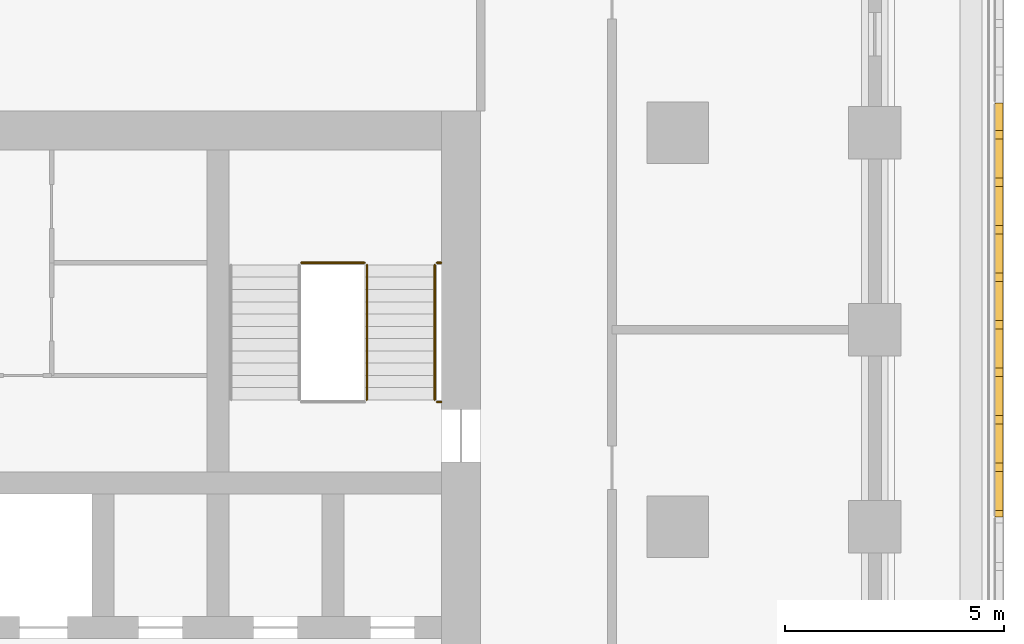
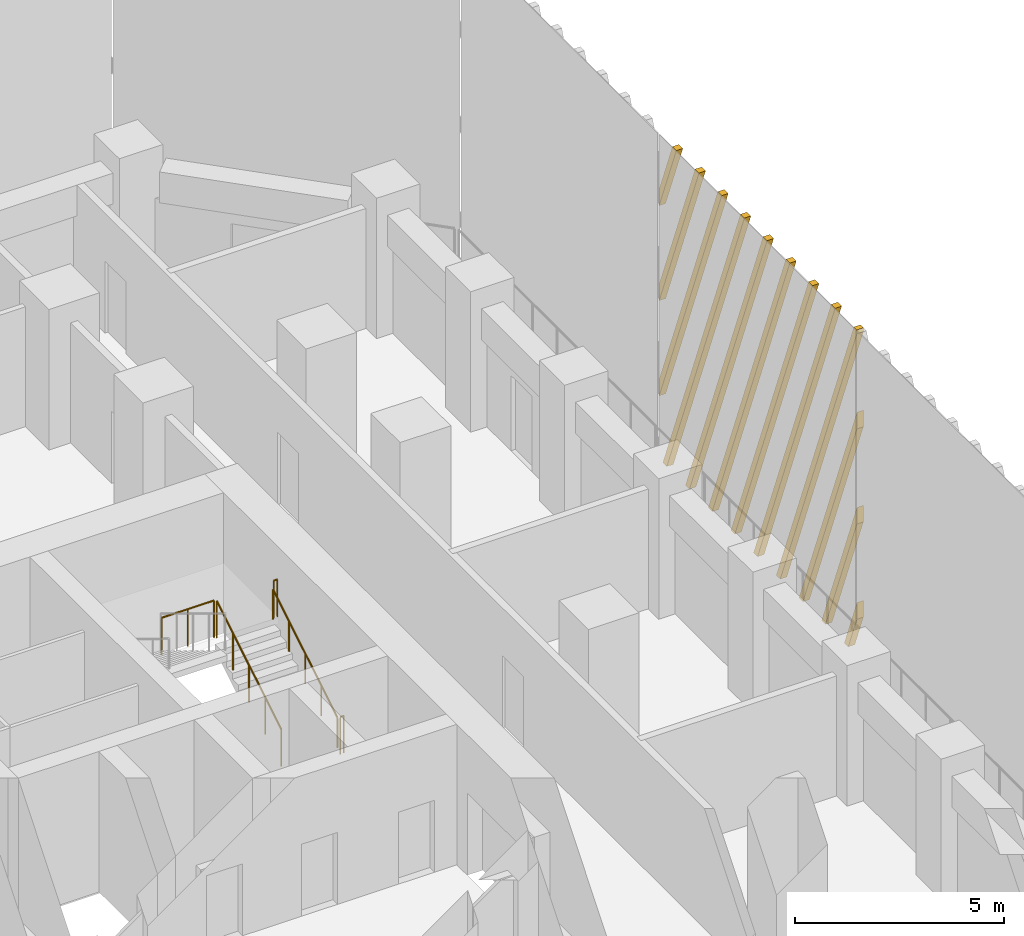
# One storey, part 15 of 17: 5 railings, 1 shading device.
"""IFC4 building model written with IfcOpenShell, lengths in metres."""

from ifc_helpers import new_model, si_unit, direction, frame, origin, origin_2d, place, context, subcontext, project, spatial, polyline, circle, outline, extrude, source, transform, mapped, material, type_object, element, save


model = new_model("IFC4")

# Units and contexts
model_context = context("Model", 3, precision=1e-05, world=origin(), true_north=direction((0.0, 1.0)))
body_context = subcontext(model_context, "Body", "Model", "MODEL_VIEW")
ifc_project = project(units=[si_unit("LENGTHUNIT", "METRE"), si_unit("AREAUNIT", "SQUARE_METRE"), si_unit("VOLUMEUNIT", "CUBIC_METRE"), si_unit("PLANEANGLEUNIT", "RADIAN"), si_unit("MASSUNIT", "GRAM", prefix="KILO")], contexts=[model_context])

# Site, building, storey
site_placement = place(None, origin())
site = spatial("IfcSite", under=ifc_project, at=site_placement, CompositionType="ELEMENT")
building_placement = place(site_placement, origin())
building = spatial("IfcBuilding", under=site, at=building_placement, Name="Corbel Stack Research Tower", CompositionType="ELEMENT")
storey_placement = place(building_placement, frame((0.0, 0.0, 141.300048828125)))
storey = spatial("IfcBuildingStorey", under=building, at=storey_placement, Name="L32", CompositionType="ELEMENT", Elevation=141.300048828125)

# Railings
ifc_material_1 = material(Name="Steel S355", Category="steel")
railing_type_1 = type_object("IfcRailingType", Name="Stair guard 1100", PredefinedType="GUARDRAIL", material=ifc_material_1)
railing_1_placement = place(storey_placement, frame((15.39990234375, 11.89990234375, 0.1708984375)))
element("IfcRailing", 1, at=railing_1_placement, inside=storey, type_object=railing_type_1, Name="L32 ST-E2 stair guard 1", PredefinedType="GUARDRAIL", context=body_context, shape_type="SweptSolid", body=[
    extrude(circle(Radius=0.02392578125, at=origin_2d()), frame((0.0, 0.0, 1.076171875), z_axis=(0.0, 0.853666305674, 0.52082035152), x_axis=(-1.0, 0.0, 0.0)), (0.0, 0.0, 1.0), 3.608154296875),
    extrude(circle(Radius=0.02099609375, at=origin_2d()), origin(), (0.0, 0.0, 1.0), 1.052001953125),
    extrude(circle(Radius=0.02099609375, at=origin_2d()), frame((0.0, 0.77001953125, 0.4697265625)), (0.0, 0.0, 1.0), 1.052001953125),
    extrude(circle(Radius=0.02099609375, at=origin_2d()), frame((0.0, 1.5400390625, 0.939453125)), (0.0, 0.0, 1.0), 1.052001953125),
    extrude(circle(Radius=0.02099609375, at=origin_2d()), frame((0.0, 2.31005859375, 1.409423828125)), (0.0, 0.0, 1.0), 1.052001953125),
    extrude(circle(Radius=0.02099609375, at=origin_2d()), frame((0.0, 3.080078125, 1.879150390625)), (0.0, 0.0, 1.0), 1.052001953125),
])
railing_2_placement = place(storey_placement, frame((15.35009765625, 15.030029296875, 2.050048828125)))
element("IfcRailing", 2, at=railing_2_placement, inside=storey, type_object=railing_type_1, Name="L32 ST-E2 stair guard 2", PredefinedType="GUARDRAIL", context=body_context, shape_type="SweptSolid", body=[
    extrude(circle(Radius=0.02392578125, at=origin_2d()), frame((0.0, 0.0, 1.076171875), z_axis=(-1.0, 0.0, 0.0), x_axis=(0.0, -1.0, 0.0)), (0.0, 0.0, 1.0), 1.4501953125),
    extrude(circle(Radius=0.02099609375, at=origin_2d()), origin(), (0.0, 0.0, 1.0), 1.052001953125),
    extrude(circle(Radius=0.02099609375, at=origin_2d()), frame((-0.72509765625, 0.0, 0.0)), (0.0, 0.0, 1.0), 1.052001953125),
    extrude(circle(Radius=0.02099609375, at=origin_2d()), frame((-1.4501953125, 0.0, 0.0)), (0.0, 0.0, 1.0), 1.052001953125),
])
for number, where, name in (
    (3, (17.10009765625, 15.030029296875, 2.050048828125), "L32 ST-E2 stair guard 3"),
    (4, (17.10009765625, 11.85009765625, 0.0), "L32 ST-E2 stair guard 6"),
):
    element("IfcRailing", number, at=place(storey_placement, frame(where)), inside=storey, type_object=railing_type_1, Name=name, PredefinedType="GUARDRAIL", context=body_context, shape_type="SweptSolid", body=[
        extrude(circle(Radius=0.02392578125, at=origin_2d()), frame((0.0, 0.0, 1.076171875), z_axis=(-1.0, 0.0, 0.0), x_axis=(0.0, -1.0, 0.0)), (0.0, 0.0, 1.0), 0.10009765625),
        extrude(circle(Radius=0.02099609375, at=origin_2d()), origin(), (0.0, 0.0, 1.0), 1.052001953125),
        extrude(circle(Radius=0.02099609375, at=origin_2d()), frame((-0.10009765625, 0.0, 0.0)), (0.0, 0.0, 1.0), 1.052001953125),
    ])
ifc_material_2 = material(Name="Steel S355", Category="steel")
railing_type_2 = type_object("IfcRailingType", Name="Stair handrail 900", PredefinedType="HANDRAIL", material=ifc_material_2)
railing_3_placement = place(storey_placement, frame((16.949951171875, 11.89990234375, 0.1708984375)))
element("IfcRailing", 5, at=railing_3_placement, inside=storey, type_object=railing_type_2, Name="L32 ST-E2 stair handrail 1", PredefinedType="HANDRAIL", context=body_context, shape_type="SweptSolid", body=[
    extrude(circle(Radius=0.02392578125, at=origin_2d()), frame((0.0, 0.0, 0.8759765625), z_axis=(0.0, 0.853666305674, 0.52082035152), x_axis=(-1.0, 0.0, 0.0)), (0.0, 0.0, 1.0), 3.608154296875),
    extrude(circle(Radius=0.02099609375, at=origin_2d()), origin(), (0.0, 0.0, 1.0), 0.851806640625),
    extrude(circle(Radius=0.02099609375, at=origin_2d()), frame((0.0, 0.77001953125, 0.4697265625)), (0.0, 0.0, 1.0), 0.851806640625),
    extrude(circle(Radius=0.02099609375, at=origin_2d()), frame((0.0, 1.5400390625, 0.939453125)), (0.0, 0.0, 1.0), 0.851806640625),
    extrude(circle(Radius=0.02099609375, at=origin_2d()), frame((0.0, 2.31005859375, 1.409423828125)), (0.0, 0.0, 1.0), 0.851806640625),
    extrude(circle(Radius=0.02099609375, at=origin_2d()), frame((0.0, 3.080078125, 1.879150390625)), (0.0, 0.0, 1.0), 0.851806640625),
])

# Shading device
ifc_material_3 = material(Name="Precast terracotta", Category="masonry")
shading_device_type = type_object("IfcShadingDeviceType", Name="Terracotta screen panel", PredefinedType="USERDEFINED", material=ifc_material_3)
shared_shape = source(origin(), body_context, "Body", "SweptSolid", [
    extrude(outline(polyline([(0.60205078125, 0.0), (0.0, 1.541748046875), (0.0, 1.055419921875), (0.412109375, 0.0), (0.60205078125, 0.0)])), frame((0.0, 0.0, 0.0), z_axis=(0.0, -1.0, 0.0), x_axis=(1.0, 0.0, 0.0)), (0.0, 0.0, 1.0), 0.179931640625),
    extrude(outline(polyline([(1.686767578125, 0.0), (0.0, 4.319091796875), (0.0, 3.83251953125), (1.496826171875, 0.0), (1.686767578125, 0.0)])), frame((0.0, 0.0, 0.0), z_axis=(0.0, -1.0, 0.0), x_axis=(1.0, 0.0, 0.0)), (0.0, 0.0, 1.0), 0.179931640625),
    extrude(outline(polyline([(2.771484375, 0.0), (0.0, 7.096435546875), (0.0, 6.60986328125), (2.58154296875, 0.0), (2.771484375, 0.0)])), frame((0.0, 0.0, 0.0), z_axis=(0.0, -1.0, 0.0), x_axis=(1.0, 0.0, 0.0)), (0.0, 0.0, 1.0), 0.179931640625),
    extrude(outline(polyline([(3.856201171875, 0.0), (0.14599609375, 9.5), (0.0, 9.5), (0.0, 9.38720703125), (3.666015625, 0.0), (3.856201171875, 0.0)])), frame((0.0, 0.0, 0.0), z_axis=(0.0, -1.0, 0.0), x_axis=(1.0, 0.0, 0.0)), (0.0, 0.0, 1.0), 0.179931640625),
    extrude(outline(polyline([(4.94091796875, 0.0), (1.230712890625, 9.5), (1.04052734375, 9.5), (4.750732421875, 0.0), (4.94091796875, 0.0)])), frame((0.0, 0.0, 0.0), z_axis=(0.0, -1.0, 0.0), x_axis=(1.0, 0.0, 0.0)), (0.0, 0.0, 1.0), 0.179931640625),
    extrude(outline(polyline([(6.025390625, 0.0), (2.315185546875, 9.5), (2.125244140625, 9.5), (5.83544921875, 0.0), (6.025390625, 0.0)])), frame((0.0, 0.0, 0.0), z_axis=(0.0, -1.0, 0.0), x_axis=(1.0, 0.0, 0.0)), (0.0, 0.0, 1.0), 0.179931640625),
    extrude(outline(polyline([(7.110107421875, 0.0), (3.39990234375, 9.5), (3.2099609375, 9.5), (6.920166015625, 0.0), (7.110107421875, 0.0)])), frame((0.0, 0.0, 0.0), z_axis=(0.0, -1.0, 0.0), x_axis=(1.0, 0.0, 0.0)), (0.0, 0.0, 1.0), 0.179931640625),
    extrude(outline(polyline([(8.19482421875, 0.0), (4.484619140625, 9.5), (4.294677734375, 9.5), (8.0048828125, 0.0), (8.19482421875, 0.0)])), frame((0.0, 0.0, 0.0), z_axis=(0.0, -1.0, 0.0), x_axis=(1.0, 0.0, 0.0)), (0.0, 0.0, 1.0), 0.179931640625),
    extrude(outline(polyline([(9.279541015625, 0.0), (5.5693359375, 9.5), (5.37939453125, 9.5), (9.089599609375, 0.0), (9.279541015625, 0.0)])), frame((0.0, 0.0, 0.0), z_axis=(0.0, -1.0, 0.0), x_axis=(1.0, 0.0, 0.0)), (0.0, 0.0, 1.0), 0.179931640625),
    extrude(outline(polyline([(6.65380859375, 9.5), (6.4638671875, 9.5), (9.45556640625, 1.839599609375), (9.45556640625, 2.326171875), (6.65380859375, 9.5)])), frame((0.0, 0.0, 0.0), z_axis=(0.0, -1.0, 0.0), x_axis=(1.0, 0.0, 0.0)), (0.0, 0.0, 1.0), 0.179931640625),
    extrude(outline(polyline([(7.738525390625, 9.5), (7.548583984375, 9.5), (9.45556640625, 4.616943359375), (9.45556640625, 5.103515625), (7.738525390625, 9.5)])), frame((0.0, 0.0, 0.0), z_axis=(0.0, -1.0, 0.0), x_axis=(1.0, 0.0, 0.0)), (0.0, 0.0, 1.0), 0.179931640625),
    extrude(outline(polyline([(8.8232421875, 9.5), (8.63330078125, 9.5), (9.45556640625, 7.394287109375), (9.45556640625, 7.880859375), (8.8232421875, 9.5)])), frame((0.0, 0.0, 0.0), z_axis=(0.0, -1.0, 0.0), x_axis=(1.0, 0.0, 0.0)), (0.0, 0.0, 1.0), 0.179931640625),
])
shading_device_placement = place(storey_placement, frame((29.75, 9.227783203125, 0.0), z_axis=(0.0, 0.0, 1.0), x_axis=(0.0, 1.0, 0.0)))
element("IfcShadingDevice", 6, at=shading_device_placement, inside=storey, type_object=shading_device_type, Name="Terracotta screen L32 E4", ObjectType="SCREEN", PredefinedType="USERDEFINED", context=body_context, shape_type="MappedRepresentation", body=[
    mapped(shared_shape, transform((0.0, 0.0, 0.0))),
])

save(model, "model.ifc")
